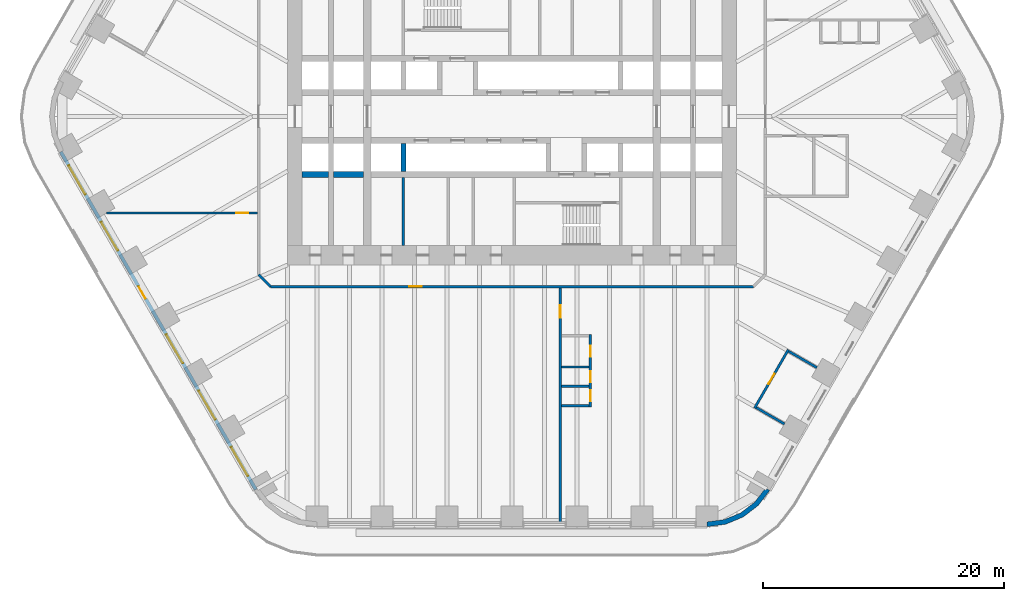
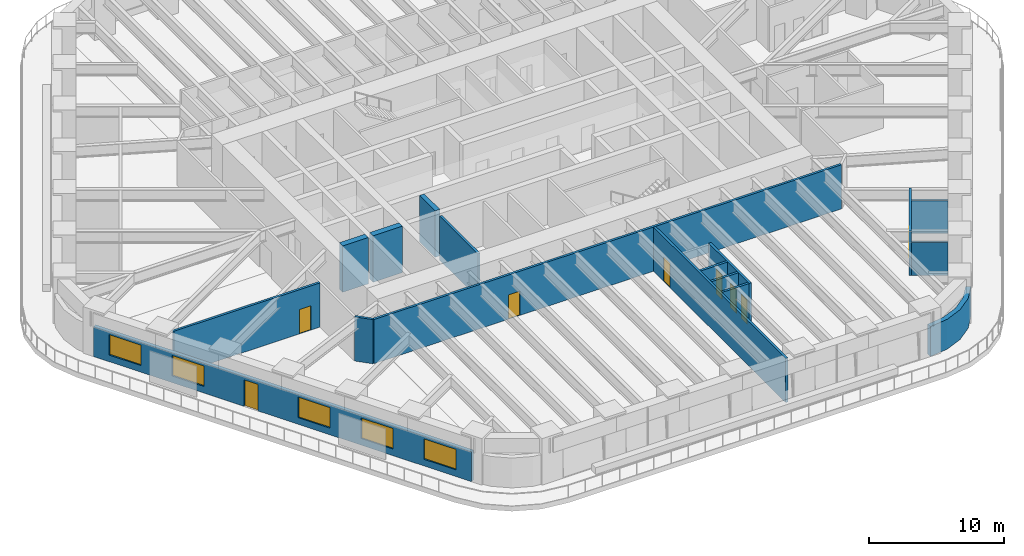
# One storey, part 16 of 24: 17 walls, 8 doors, 5 windows, 13 openings.
"""IFC4 building model written with IfcOpenShell, lengths in metres."""

from ifc_helpers import new_model, si_unit, direction, frame, frame_2d, origin, place, context, subcontext, project, spatial, polyline, rectangle, outline, extrude, material, layer, layer_set, type_object, element, fill, save


model = new_model("IFC4")

# Units and contexts
model_context = context("Model", 3, precision=1e-05, world=origin(), true_north=direction((0.0, 1.0)))
body_context = subcontext(model_context, "Body", "Model", "MODEL_VIEW")
ifc_project = project(units=[si_unit("LENGTHUNIT", "METRE"), si_unit("AREAUNIT", "SQUARE_METRE"), si_unit("VOLUMEUNIT", "CUBIC_METRE"), si_unit("PLANEANGLEUNIT", "RADIAN"), si_unit("MASSUNIT", "GRAM", prefix="KILO")], contexts=[model_context])

# Site, building, storey
site_placement = place(None, origin())
site = spatial("IfcSite", under=ifc_project, at=site_placement, CompositionType="ELEMENT")
building_placement = place(site_placement, origin())
building = spatial("IfcBuilding", under=site, at=building_placement, Name="Tarfa Lantern Tower", CompositionType="ELEMENT")
storey_placement = place(building_placement, frame((0.0, 0.0, 94.89990234375)))
storey = spatial("IfcBuildingStorey", under=building, at=storey_placement, Name="L21", CompositionType="ELEMENT", Elevation=94.89990234375)

# Wall, openings, door, windows
ifc_material_1 = material(Name="Limestone cladding on blockwork", Category="masonry")
ifc_layer_1 = layer(ifc_material_1, 0.300048828125)
ifc_layer_set_1 = layer_set([ifc_layer_1], Name="EW1 STONE-CLAD WALL 300")
wall_type_1 = type_object("IfcWallType", Name="EW1 STONE-CLAD WALL 300", PredefinedType="SOLIDWALL", material=ifc_layer_set_1)
wall_1_placement = place(storey_placement, frame((-37.39794921875, -2.925048828125, 0.0), z_axis=(0.0, 0.0, 1.0), x_axis=(0.499999163675, -0.866025886636, 0.0)))
wall_1 = element("IfcWall", 1, at=wall_1_placement, inside=storey, type_object=wall_type_1, Name="Stone wall SW", PredefinedType="SOLIDWALL", context=body_context, shape_type="SweptSolid", body=[
    extrude(rectangle(XDim=32.33154296875, YDim=0.300048828125, at=frame_2d((16.165771484375, 0.0))), origin(), (0.0, 0.0, 1.0), 2.7001953125),
])
opening_1_placement = place(wall_1_placement, frame((1.3193359375, 0.0, 0.60009765625)))
opening_1 = element("IfcOpeningElement", 2, at=opening_1_placement, cuts=wall_1, Name="Opening W2", PredefinedType="OPENING", context=body_context, shape_type="SweptSolid", body=[
    extrude(rectangle(XDim=2.75, YDim=1.85009765625, at=frame_2d((1.375, 0.925048828125))), frame((0.0, 0.159912109375, 0.0), z_axis=(0.0, -1.0, 0.0), x_axis=(1.0, 0.0, 0.0)), (0.0, 0.0, 1.0), 0.320068359375),
])
opening_2_placement = place(wall_1_placement, frame((6.7080078125, 0.0, 0.60009765625)))
opening_2 = element("IfcOpeningElement", 3, at=opening_2_placement, cuts=wall_1, Name="Opening W2", PredefinedType="OPENING", context=body_context, shape_type="SweptSolid", body=[
    extrude(rectangle(XDim=2.75, YDim=1.85009765625, at=frame_2d((1.375, 0.925048828125))), frame((0.0, 0.159912109375, 0.0), z_axis=(0.0, -1.0, 0.0), x_axis=(1.0, 0.0, 0.0)), (0.0, 0.0, 1.0), 0.320068359375),
])
opening_3_placement = place(wall_1_placement, frame((12.87158203125, 0.0, 0.0)))
opening_3 = element("IfcOpeningElement", 4, at=opening_3_placement, cuts=wall_1, Name="Opening D50", PredefinedType="OPENING", context=body_context, shape_type="SweptSolid", body=[
    extrude(rectangle(XDim=1.199951171875, YDim=2.39990234375, at=frame_2d((0.60009765625, 1.199951171875))), frame((0.0, 0.159912109375, 0.0), z_axis=(0.0, -1.0, 0.0), x_axis=(1.0, 0.0, 0.0)), (0.0, 0.0, 1.0), 0.320068359375),
])
opening_4_placement = place(wall_1_placement, frame((17.485107421875, 0.0, 0.60009765625)))
opening_4 = element("IfcOpeningElement", 5, at=opening_4_placement, cuts=wall_1, Name="Opening W2", PredefinedType="OPENING", context=body_context, shape_type="SweptSolid", body=[
    extrude(rectangle(XDim=2.75, YDim=1.85009765625, at=frame_2d((1.375, 0.925048828125))), frame((0.0, 0.159912109375, 0.0), z_axis=(0.0, -1.0, 0.0), x_axis=(1.0, 0.0, 0.0)), (0.0, 0.0, 1.0), 0.320068359375),
])
opening_5_placement = place(wall_1_placement, frame((22.873779296875, 0.0, 0.60009765625)))
opening_5 = element("IfcOpeningElement", 6, at=opening_5_placement, cuts=wall_1, Name="Opening W2", PredefinedType="OPENING", context=body_context, shape_type="SweptSolid", body=[
    extrude(rectangle(XDim=2.75, YDim=1.85009765625, at=frame_2d((1.375, 0.925048828125))), frame((0.0, 0.159912109375, 0.0), z_axis=(0.0, -1.0, 0.0), x_axis=(1.0, 0.0, 0.0)), (0.0, 0.0, 1.0), 0.320068359375),
])
opening_6_placement = place(wall_1_placement, frame((28.26220703125, 0.0, 0.60009765625)))
opening_6 = element("IfcOpeningElement", 7, at=opening_6_placement, cuts=wall_1, Name="Opening W2", PredefinedType="OPENING", context=body_context, shape_type="SweptSolid", body=[
    extrude(rectangle(XDim=2.75, YDim=1.85009765625, at=frame_2d((1.375, 0.925048828125))), frame((0.0, 0.159912109375, 0.0), z_axis=(0.0, -1.0, 0.0), x_axis=(1.0, 0.0, 0.0)), (0.0, 0.0, 1.0), 0.320068359375),
])
ifc_material_2 = material(Name="Aluminium framed glazed door", Category="aluminium")
door_type_1 = type_object("IfcDoorType", Name="BE3 BALCONY DOOR 1200x2400", OperationType="SINGLE_SWING_RIGHT", PredefinedType="DOOR", material=ifc_material_2)
door_1_placement = place(opening_3_placement, origin())
door_1 = element("IfcDoor", 8, at=door_1_placement, inside=storey, type_object=door_type_1, Name="Balcony door SW", OperationType="SINGLE_SWING_RIGHT", OverallHeight=2.39990234375, OverallWidth=1.199951171875, PredefinedType="DOOR", context=body_context, shape_type="SweptSolid", body=[
    extrude(rectangle(XDim=1.199951171875, YDim=2.39990234375, at=frame_2d((0.60009765625, 1.199951171875))), frame((0.0, 0.02490234375, 0.0), z_axis=(0.0, -1.0, 0.0), x_axis=(1.0, 0.0, 0.0)), (0.0, 0.0, 1.0), 0.050048828125),
])
fill(opening_3, door_1)
ifc_material_3 = material(Name="Aluminium frame, double glazed", Category="aluminium")
window_type = type_object("IfcWindowType", Name="W2 FULL-HEIGHT GLAZING 2750x1850", PartitioningType="SINGLE_PANEL", PredefinedType="WINDOW", material=ifc_material_3)
window_1_placement = place(opening_1_placement, origin())
window_1 = element("IfcWindow", 9, at=window_1_placement, inside=storey, type_object=window_type, Name="Window SW 1", OverallHeight=1.85009765625, OverallWidth=2.75, PartitioningType="SINGLE_PANEL", PredefinedType="WINDOW", context=body_context, shape_type="SweptSolid", body=[
    extrude(rectangle(XDim=2.75, YDim=1.85009765625, at=frame_2d((1.375, 0.925048828125))), frame((0.0, 0.030029296875, 0.0), z_axis=(0.0, -1.0, 0.0), x_axis=(1.0, 0.0, 0.0)), (0.0, 0.0, 1.0), 0.06005859375),
])
fill(opening_1, window_1)
window_2_placement = place(opening_2_placement, origin())
window_2 = element("IfcWindow", 10, at=window_2_placement, inside=storey, type_object=window_type, Name="Window SW 2", OverallHeight=1.85009765625, OverallWidth=2.75, PartitioningType="SINGLE_PANEL", PredefinedType="WINDOW", context=body_context, shape_type="SweptSolid", body=[
    extrude(rectangle(XDim=2.75, YDim=1.85009765625, at=frame_2d((1.375, 0.925048828125))), frame((0.0, 0.030029296875, 0.0), z_axis=(0.0, -1.0, 0.0), x_axis=(1.0, 0.0, 0.0)), (0.0, 0.0, 1.0), 0.06005859375),
])
fill(opening_2, window_2)
window_3_placement = place(opening_4_placement, origin())
window_3 = element("IfcWindow", 11, at=window_3_placement, inside=storey, type_object=window_type, Name="Window SW 4", OverallHeight=1.85009765625, OverallWidth=2.75, PartitioningType="SINGLE_PANEL", PredefinedType="WINDOW", context=body_context, shape_type="SweptSolid", body=[
    extrude(rectangle(XDim=2.75, YDim=1.85009765625, at=frame_2d((1.375, 0.925048828125))), frame((0.0, 0.030029296875, 0.0), z_axis=(0.0, -1.0, 0.0), x_axis=(1.0, 0.0, 0.0)), (0.0, 0.0, 1.0), 0.06005859375),
])
fill(opening_4, window_3)
window_4_placement = place(opening_5_placement, origin())
window_4 = element("IfcWindow", 12, at=window_4_placement, inside=storey, type_object=window_type, Name="Window SW 5", OverallHeight=1.85009765625, OverallWidth=2.75, PartitioningType="SINGLE_PANEL", PredefinedType="WINDOW", context=body_context, shape_type="SweptSolid", body=[
    extrude(rectangle(XDim=2.75, YDim=1.85009765625, at=frame_2d((1.375, 0.925048828125))), frame((0.0, 0.030029296875, 0.0), z_axis=(0.0, -1.0, 0.0), x_axis=(1.0, 0.0, 0.0)), (0.0, 0.0, 1.0), 0.06005859375),
])
fill(opening_5, window_4)
window_5_placement = place(opening_6_placement, origin())
window_5 = element("IfcWindow", 13, at=window_5_placement, inside=storey, type_object=window_type, Name="Window SW 6", OverallHeight=1.85009765625, OverallWidth=2.75, PartitioningType="SINGLE_PANEL", PredefinedType="WINDOW", context=body_context, shape_type="SweptSolid", body=[
    extrude(rectangle(XDim=2.75, YDim=1.85009765625, at=frame_2d((1.375, 0.925048828125))), frame((0.0, 0.030029296875, 0.0), z_axis=(0.0, -1.0, 0.0), x_axis=(1.0, 0.0, 0.0)), (0.0, 0.0, 1.0), 0.06005859375),
])
fill(opening_6, window_5)

# Walls
ifc_layer_2 = layer(ifc_material_1, 0.39990234375)
ifc_layer_set_2 = layer_set([ifc_layer_2], Name="EW2 CURVED STONE CORNER 400")
wall_type_2 = type_object("IfcWallType", Name="EW2 CURVED STONE CORNER 400", PredefinedType="SOLIDWALL", material=ifc_layer_set_2)
wall_2_placement = place(storey_placement, origin())
element("IfcWall", 14, at=wall_2_placement, inside=storey, type_object=wall_type_2, Name="Stone corner S-SE", PredefinedType="SOLIDWALL", context=body_context, shape_type="SweptSolid", body=[
    extrude(outline(polyline([(16.165771484375, -34.0), (17.71875, -33.795654296875), (19.165771484375, -33.196044921875), (20.408447265625, -32.24267578125), (21.362060546875, -31.0), (21.015625, -30.800048828125), (20.12548828125, -31.959716796875), (18.9658203125, -32.849853515625), (17.615234375, -33.4091796875), (16.165771484375, -33.60009765625), (16.165771484375, -34.0)])), origin(), (0.0, 0.0, 1.0), 2.7001953125),
])
ifc_material_4 = material(Name="Concrete blockwork", Category="masonry")
ifc_layer_3 = layer(ifc_material_4, 0.199951171875)
ifc_layer_set_3 = layer_set([ifc_layer_3], Name="IW1 BLOCKWORK PARTITION 200 EI 120")
wall_type_3 = type_object("IfcWallType", Name="IW1 BLOCKWORK PARTITION 200 EI 120", PredefinedType="PARTITIONING", material=ifc_layer_set_3)
wall_3_placement = place(storey_placement, frame((-9.0, -5.050048828125, 0.0), z_axis=(0.0, 0.0, 1.0), x_axis=(0.0, -1.0, 0.0)))
element("IfcWall", 15, at=wall_3_placement, inside=storey, type_object=wall_type_3, Name="Core partition", PredefinedType="PARTITIONING", context=body_context, shape_type="SweptSolid", body=[
    extrude(rectangle(XDim=5.64990234375, YDim=0.199951171875, at=frame_2d((2.824951171875, 0.0))), origin(), (0.0, 0.0, 1.0), 4.0),
])

# Wall, opening, door
ifc_material_5 = material(Name="Gypsum board on steel studs", Category="steel")
ifc_layer_4 = layer(ifc_material_5, 0.2099609375)
ifc_layer_set_4 = layer_set([ifc_layer_4], Name="IW2 ACOUSTIC PARTITION 200")
wall_type_4 = type_object("IfcWallType", Name="IW2 ACOUSTIC PARTITION 200", PredefinedType="PARTITIONING", material=ifc_layer_set_4)
wall_4_placement = place(storey_placement, frame((20.109130859375, -24.169921875, 0.0), z_axis=(0.0, 0.0, 1.0), x_axis=(0.50001992892, 0.866013897511, 0.0)))
wall_4 = element("IfcWall", 16, at=wall_4_placement, inside=storey, type_object=wall_type_4, Name="Partition", PredefinedType="PARTITIONING", context=body_context, shape_type="SweptSolid", body=[
    extrude(rectangle(XDim=5.588623046875, YDim=0.199951171875, at=frame_2d((2.79443359375, 0.0))), origin(), (0.0, 0.0, 1.0), 4.0),
])
opening_7_placement = place(wall_4_placement, frame((2.294189453125, 0.0, 0.0)))
opening_7 = element("IfcOpeningElement", 17, at=opening_7_placement, cuts=wall_4, Name="Opening D33", PredefinedType="OPENING", context=body_context, shape_type="SweptSolid", body=[
    extrude(rectangle(XDim=1.0, YDim=2.199951171875, at=frame_2d((0.5, 1.10009765625))), frame((0.0, 0.10986328125, 0.0), z_axis=(0.0, -1.0, 0.0), x_axis=(1.0, 0.0, 0.0)), (0.0, 0.0, 1.0), 0.219970703125),
])
ifc_material_6 = material(Name="Timber door", Category="wood")
door_type_2 = type_object("IfcDoorType", Name="DR1 ROOM DOOR 1000x2200", OperationType="SINGLE_SWING_LEFT", PredefinedType="DOOR", material=ifc_material_6)
door_2_placement = place(opening_7_placement, frame((1.0, 0.0, 0.0), z_axis=(0.0, 0.0, 1.0), x_axis=(-1.0, 0.0, 0.0)))
door_2 = element("IfcDoor", 18, at=door_2_placement, inside=storey, type_object=door_type_2, Name="Meeting room door", OperationType="SINGLE_SWING_RIGHT", OverallHeight=2.199951171875, OverallWidth=1.0, PredefinedType="DOOR", context=body_context, shape_type="SweptSolid", body=[
    extrude(rectangle(XDim=1.0, YDim=2.199951171875, at=frame_2d((0.5, 1.10009765625))), frame((0.0, 0.02490234375, 0.0), z_axis=(0.0, -1.0, 0.0), x_axis=(1.0, 0.0, 0.0)), (0.0, 0.0, 1.0), 0.050048828125),
])
fill(opening_7, door_2)

# Walls
wall_5_placement = place(storey_placement, frame((20.245849609375, -24.13330078125, 0.0), z_axis=(0.0, 0.0, 1.0), x_axis=(0.86599734893, -0.500048589285, 0.0)))
element("IfcWall", 19, at=wall_5_placement, inside=storey, type_object=wall_type_4, Name="Partition", PredefinedType="PARTITIONING", context=body_context, shape_type="SweptSolid", body=[
    extrude(rectangle(XDim=2.699951171875, YDim=0.199951171875, at=frame_2d((1.35009765625, 0.0))), origin(), (0.0, 0.0, 1.0), 2.991943359375),
])
wall_6_placement = place(storey_placement, frame((22.93994140625, -19.466552734375, 0.0), z_axis=(0.0, 0.0, 1.0), x_axis=(0.866019956843, -0.50000943426, 0.0)))
element("IfcWall", 20, at=wall_6_placement, inside=storey, type_object=wall_type_4, Name="Partition", PredefinedType="PARTITIONING", context=body_context, shape_type="SweptSolid", body=[
    extrude(rectangle(XDim=2.7001953125, YDim=0.199951171875, at=frame_2d((1.35009765625, 0.0))), origin(), (0.0, 0.0, 1.0), 2.991943359375),
])

# Wall, opening, door
wall_7_placement = place(storey_placement, frame((20.0, -14.10009765625, 0.0), z_axis=(0.0, 0.0, 1.0), x_axis=(-1.0, 0.0, 0.0)))
wall_7 = element("IfcWall", 21, at=wall_7_placement, inside=storey, type_object=wall_type_4, Name="Partition", PredefinedType="PARTITIONING", context=body_context, shape_type="SweptSolid", body=[
    extrude(rectangle(XDim=40.0, YDim=0.199951171875, at=frame_2d((20.0, 0.0))), origin(), (0.0, 0.0, 1.0), 4.0),
])
opening_8_placement = place(wall_7_placement, frame((27.5, 0.0, 0.0)))
opening_8 = element("IfcOpeningElement", 22, at=opening_8_placement, cuts=wall_7, Name="Opening D43", PredefinedType="OPENING", context=body_context, shape_type="SweptSolid", body=[
    extrude(rectangle(XDim=1.0, YDim=2.199951171875, at=frame_2d((0.5, 1.10009765625))), frame((0.0, 0.10986328125, 0.0), z_axis=(0.0, -1.0, 0.0), x_axis=(1.0, 0.0, 0.0)), (0.0, 0.0, 1.0), 0.219970703125),
])
door_3_placement = place(opening_8_placement, origin())
door_3 = element("IfcDoor", 23, at=door_3_placement, inside=storey, type_object=door_type_2, Name="Corridor door", OperationType="SINGLE_SWING_LEFT", OverallHeight=2.199951171875, OverallWidth=1.0, PredefinedType="DOOR", context=body_context, shape_type="SweptSolid", body=[
    extrude(rectangle(XDim=1.0, YDim=2.199951171875, at=frame_2d((0.5, 1.10009765625))), frame((0.0, 0.02490234375, 0.0), z_axis=(0.0, -1.0, 0.0), x_axis=(1.0, 0.0, 0.0)), (0.0, 0.0, 1.0), 0.050048828125),
])
fill(opening_8, door_3)

# Wall
wall_8_placement = place(storey_placement, frame((-20.0, -14.10009765625, 0.0), z_axis=(0.0, 0.0, 1.0), x_axis=(-0.707106781187, 0.707106781187, 0.0)))
element("IfcWall", 24, at=wall_8_placement, inside=storey, type_object=wall_type_4, Name="Partition", PredefinedType="PARTITIONING", context=body_context, shape_type="SweptSolid", body=[
    extrude(rectangle(XDim=1.414306640625, YDim=0.199951171875, at=frame_2d((0.70703125, 0.0))), origin(), (0.0, 0.0, 1.0), 4.0),
])

# Wall, opening, door
wall_9_placement = place(storey_placement, frame((4.0, -14.199951171875, 0.0), z_axis=(0.0, 0.0, 1.0), x_axis=(0.0, -1.0, 0.0)))
wall_9 = element("IfcWall", 25, at=wall_9_placement, inside=storey, type_object=wall_type_4, Name="Partition", PredefinedType="PARTITIONING", context=body_context, shape_type="SweptSolid", body=[
    extrude(rectangle(XDim=19.60009765625, YDim=0.199951171875, at=frame_2d((9.800048828125, 0.0))), origin(), (0.0, 0.0, 1.0), 4.0),
])
opening_9_placement = place(wall_9_placement, frame((1.4599609375, 0.0, 0.0)))
opening_9 = element("IfcOpeningElement", 26, at=opening_9_placement, cuts=wall_9, Name="Opening D46", PredefinedType="OPENING", context=body_context, shape_type="SweptSolid", body=[
    extrude(rectangle(XDim=1.0, YDim=2.199951171875, at=frame_2d((0.5, 1.10009765625))), frame((0.0, 0.10986328125, 0.0), z_axis=(0.0, -1.0, 0.0), x_axis=(1.0, 0.0, 0.0)), (0.0, 0.0, 1.0), 0.219970703125),
])
door_4_placement = place(opening_9_placement, frame((1.0, 0.0, 0.0), z_axis=(0.0, 0.0, 1.0), x_axis=(-1.0, 0.0, 0.0)))
door_4 = element("IfcDoor", 27, at=door_4_placement, inside=storey, type_object=door_type_2, Name="Zone door", OperationType="SINGLE_SWING_LEFT", OverallHeight=2.199951171875, OverallWidth=1.0, PredefinedType="DOOR", context=body_context, shape_type="SweptSolid", body=[
    extrude(rectangle(XDim=1.0, YDim=2.199951171875, at=frame_2d((0.5, 1.10009765625))), frame((0.0, 0.02490234375, 0.0), z_axis=(0.0, -1.0, 0.0), x_axis=(1.0, 0.0, 0.0)), (0.0, 0.0, 1.0), 0.050048828125),
])
fill(opening_9, door_4)

wall_10_placement = place(storey_placement, frame((-21.10009765625, -8.0, 0.0), z_axis=(0.0, 0.0, 1.0), x_axis=(-1.0, 0.0, 0.0)))
wall_10 = element("IfcWall", 28, at=wall_10_placement, inside=storey, type_object=wall_type_4, Name="Partition", PredefinedType="PARTITIONING", context=body_context, shape_type="SweptSolid", body=[
    extrude(rectangle(XDim=12.5107421875, YDim=0.199951171875, at=frame_2d((6.25537109375, 0.0))), origin(), (0.0, 0.0, 1.0), 4.0),
])
opening_10_placement = place(wall_10_placement, frame((0.7509765625, 0.0, 0.0)))
opening_10 = element("IfcOpeningElement", 29, at=opening_10_placement, cuts=wall_10, Name="Opening D47", PredefinedType="OPENING", context=body_context, shape_type="SweptSolid", body=[
    extrude(rectangle(XDim=1.0, YDim=2.199951171875, at=frame_2d((0.5, 1.10009765625))), frame((0.0, 0.10986328125, 0.0), z_axis=(0.0, -1.0, 0.0), x_axis=(1.0, 0.0, 0.0)), (0.0, 0.0, 1.0), 0.219970703125),
])
door_5_placement = place(opening_10_placement, origin())
door_5 = element("IfcDoor", 30, at=door_5_placement, inside=storey, type_object=door_type_2, Name="Zone door", OperationType="SINGLE_SWING_RIGHT", OverallHeight=2.199951171875, OverallWidth=1.0, PredefinedType="DOOR", context=body_context, shape_type="SweptSolid", body=[
    extrude(rectangle(XDim=1.0, YDim=2.199951171875, at=frame_2d((0.5, 1.10009765625))), frame((0.0, 0.02490234375, 0.0), z_axis=(0.0, -1.0, 0.0), x_axis=(1.0, 0.0, 0.0)), (0.0, 0.0, 1.0), 0.050048828125),
])
fill(opening_10, door_5)

# Wall, openings, doors
wall_11_placement = place(storey_placement, frame((6.5, -18.06005859375, 0.0), z_axis=(0.0, 0.0, 1.0), x_axis=(0.0, -1.0, 0.0)))
wall_11 = element("IfcWall", 31, at=wall_11_placement, inside=storey, type_object=wall_type_4, Name="Partition", PredefinedType="PARTITIONING", context=body_context, shape_type="SweptSolid", body=[
    extrude(rectangle(XDim=6.0, YDim=0.199951171875, at=frame_2d((3.0, 0.0))), origin(), (0.0, 0.0, 1.0), 4.0),
])
opening_11_placement = place(wall_11_placement, frame((0.949951171875, 0.0, 0.0)))
opening_11 = element("IfcOpeningElement", 32, at=opening_11_placement, cuts=wall_11, Name="Opening D36", PredefinedType="OPENING", context=body_context, shape_type="SweptSolid", body=[
    extrude(rectangle(XDim=0.89990234375, YDim=2.199951171875, at=frame_2d((0.449951171875, 1.10009765625))), frame((0.0, 0.10986328125, 0.0), z_axis=(0.0, -1.0, 0.0), x_axis=(1.0, 0.0, 0.0)), (0.0, 0.0, 1.0), 0.219970703125),
])
opening_12_placement = place(wall_11_placement, frame((3.050048828125, 0.0, 0.0)))
opening_12 = element("IfcOpeningElement", 33, at=opening_12_placement, cuts=wall_11, Name="Opening D37", PredefinedType="OPENING", context=body_context, shape_type="SweptSolid", body=[
    extrude(rectangle(XDim=0.89990234375, YDim=2.199951171875, at=frame_2d((0.449951171875, 1.10009765625))), frame((0.0, 0.10986328125, 0.0), z_axis=(0.0, -1.0, 0.0), x_axis=(1.0, 0.0, 0.0)), (0.0, 0.0, 1.0), 0.219970703125),
])
opening_13_placement = place(wall_11_placement, frame((4.64990234375, 0.0, 0.0)))
opening_13 = element("IfcOpeningElement", 34, at=opening_13_placement, cuts=wall_11, Name="Opening D38", PredefinedType="OPENING", context=body_context, shape_type="SweptSolid", body=[
    extrude(rectangle(XDim=0.89990234375, YDim=2.199951171875, at=frame_2d((0.449951171875, 1.10009765625))), frame((0.0, 0.10986328125, 0.0), z_axis=(0.0, -1.0, 0.0), x_axis=(1.0, 0.0, 0.0)), (0.0, 0.0, 1.0), 0.219970703125),
])
door_type_3 = type_object("IfcDoorType", Name="DR3 ROOM DOOR 900x2200", OperationType="SINGLE_SWING_LEFT", PredefinedType="DOOR", material=ifc_material_6)
door_6_placement = place(opening_11_placement, frame((0.89990234375, 0.0, 0.0), z_axis=(0.0, 0.0, 1.0), x_axis=(-1.0, 0.0, 0.0)))
door_6 = element("IfcDoor", 35, at=door_6_placement, inside=storey, type_object=door_type_3, Name="Print and copy room door", OperationType="SINGLE_SWING_LEFT", OverallHeight=2.199951171875, OverallWidth=0.89990234375, PredefinedType="DOOR", context=body_context, shape_type="SweptSolid", body=[
    extrude(rectangle(XDim=0.89990234375, YDim=2.199951171875, at=frame_2d((0.449951171875, 1.10009765625))), frame((0.0, 0.02490234375, 0.0), z_axis=(0.0, -1.0, 0.0), x_axis=(1.0, 0.0, 0.0)), (0.0, 0.0, 1.0), 0.050048828125),
])
fill(opening_11, door_6)
door_7_placement = place(opening_12_placement, frame((0.89990234375, 0.0, 0.0), z_axis=(0.0, 0.0, 1.0), x_axis=(-1.0, 0.0, 0.0)))
door_7 = element("IfcDoor", 36, at=door_7_placement, inside=storey, type_object=door_type_3, Name="Phone booth door", OperationType="SINGLE_SWING_RIGHT", OverallHeight=2.199951171875, OverallWidth=0.89990234375, PredefinedType="DOOR", context=body_context, shape_type="SweptSolid", body=[
    extrude(rectangle(XDim=0.89990234375, YDim=2.199951171875, at=frame_2d((0.449951171875, 1.10009765625))), frame((0.0, 0.02490234375, 0.0), z_axis=(0.0, -1.0, 0.0), x_axis=(1.0, 0.0, 0.0)), (0.0, 0.0, 1.0), 0.050048828125),
])
fill(opening_12, door_7)
door_8_placement = place(opening_13_placement, frame((0.89990234375, 0.0, 0.0), z_axis=(0.0, 0.0, 1.0), x_axis=(-1.0, 0.0, 0.0)))
door_8 = element("IfcDoor", 37, at=door_8_placement, inside=storey, type_object=door_type_3, Name="Phone booth door", OperationType="SINGLE_SWING_RIGHT", OverallHeight=2.199951171875, OverallWidth=0.89990234375, PredefinedType="DOOR", context=body_context, shape_type="SweptSolid", body=[
    extrude(rectangle(XDim=0.89990234375, YDim=2.199951171875, at=frame_2d((0.449951171875, 1.10009765625))), frame((0.0, 0.02490234375, 0.0), z_axis=(0.0, -1.0, 0.0), x_axis=(1.0, 0.0, 0.0)), (0.0, 0.0, 1.0), 0.050048828125),
])
fill(opening_13, door_8)

# Walls
for number, where, z_axis, x_axis, name in (
    (38, (4.10009765625, -20.760009765625, 0.0), (0.0, 0.0, 1.0), (1.0, 0.0, 0.0), "Partition"),
    (39, (4.10009765625, -22.360107421875, 0.0), (0.0, 0.0, 1.0), (1.0, 0.0, 0.0), "Partition"),
    (40, (4.10009765625, -23.9599609375, 0.0), (0.0, 0.0, 1.0), (1.0, 0.0, 0.0), "Partition"),
):
    element("IfcWall", number, at=place(storey_placement, frame(where, z_axis=z_axis, x_axis=x_axis)), inside=storey, type_object=wall_type_4, Name=name, PredefinedType="PARTITIONING", context=body_context, shape_type="SweptSolid", body=[
        extrude(rectangle(XDim=2.2998046875, YDim=0.199951171875, at=frame_2d((1.14990234375, 0.0))), origin(), (0.0, 0.0, 1.0), 4.0),
    ])
ifc_material_7 = material(Name="Concrete C80/95", Category="concrete")
ifc_layer_5 = layer(ifc_material_7, 0.5)
ifc_layer_set_5 = layer_set([ifc_layer_5], Name="SW5 CORE WALL 500")
wall_type_5 = type_object("IfcWallType", Name="SW5 CORE WALL 500", PredefinedType="SHEAR", material=ifc_layer_set_5)
wall_12_placement = place(storey_placement, frame((-12.300048828125, -4.800048828125, 0.0), z_axis=(0.0, 0.0, 1.0), x_axis=(-1.0, 0.0, 0.0)))
element("IfcWall", 41, at=wall_12_placement, inside=storey, type_object=wall_type_5, Name="Core wall rear S", PredefinedType="SHEAR", context=body_context, shape_type="SweptSolid", body=[
    extrude(rectangle(XDim=2.5, YDim=0.5, at=frame_2d((1.25, 0.0))), origin(), (0.0, 0.0, 1.0), 4.2001953125),
])
wall_13_placement = place(storey_placement, frame((-15.199951171875, -4.800048828125, 0.0), z_axis=(0.0, 0.0, 1.0), x_axis=(-1.0, 0.0, 0.0)))
element("IfcWall", 42, at=wall_13_placement, inside=storey, type_object=wall_type_5, Name="Core wall rear S", PredefinedType="SHEAR", context=body_context, shape_type="SweptSolid", body=[
    extrude(rectangle(XDim=2.199951171875, YDim=0.5, at=frame_2d((1.10009765625, 0.0))), origin(), (0.0, 0.0, 1.0), 4.2001953125),
])
ifc_layer_6 = layer(ifc_material_7, 0.39990234375)
ifc_layer_set_6 = layer_set([ifc_layer_6], Name="SW6 CORE WALL 400")
wall_type_6 = type_object("IfcWallType", Name="SW6 CORE WALL 400", PredefinedType="SHEAR", material=ifc_layer_set_6)
wall_14_placement = place(storey_placement, frame((-9.0, -2.25, 0.0), z_axis=(0.0, 0.0, 1.0), x_axis=(0.0, -1.0, 0.0)))
element("IfcWall", 43, at=wall_14_placement, inside=storey, type_object=wall_type_6, Name="Core wall divider S", PredefinedType="SHEAR", context=body_context, shape_type="SweptSolid", body=[
    extrude(rectangle(XDim=2.300048828125, YDim=0.39990234375, at=frame_2d((1.14990234375, 0.0))), origin(), (0.0, 0.0, 1.0), 4.2001953125),
])

save(model, "model.ifc")
